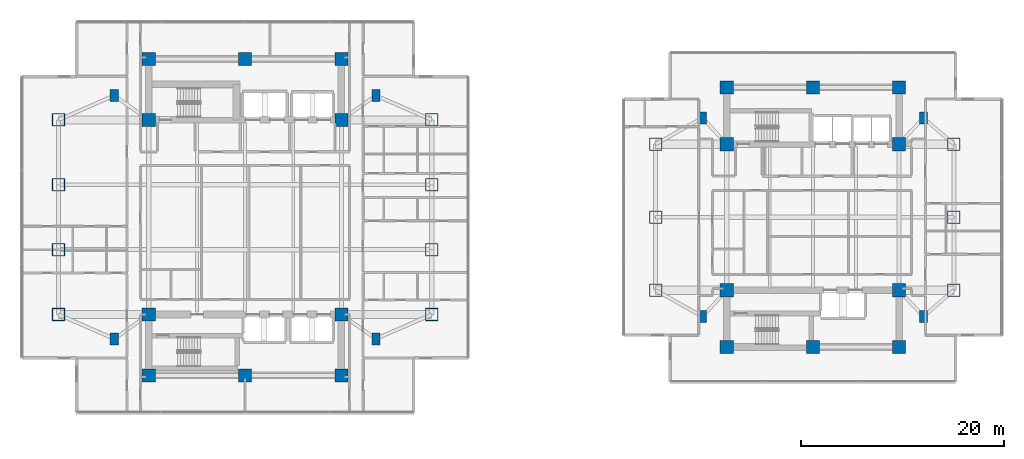
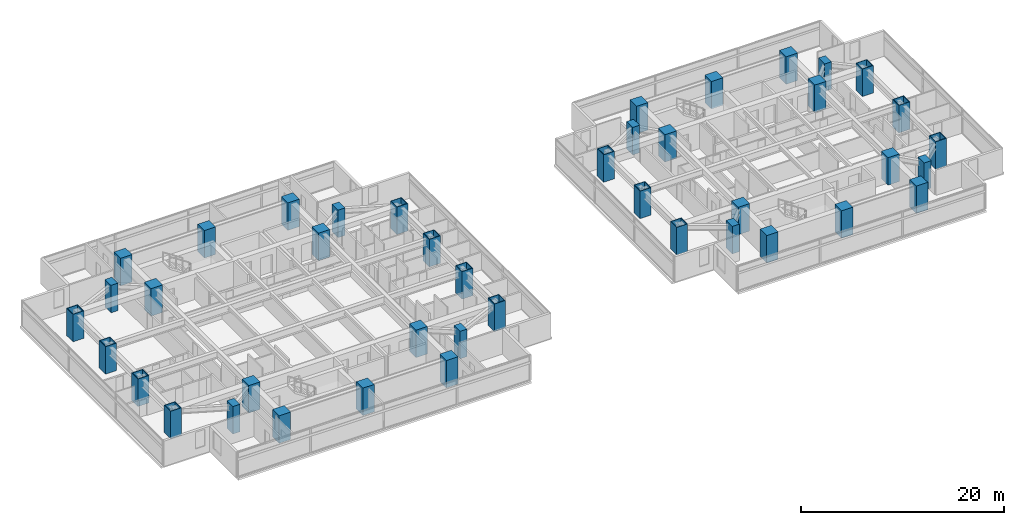
# One storey, part 1 of 24: 42 columns.
"""IFC4 building model written with IfcOpenShell, lengths in metres."""

from ifc_helpers import new_model, si_unit, direction, frame, origin, origin_2d, place, context, subcontext, project, spatial, rectangle, hollow_rectangle, extrude, material, material_profile, profile_set, type_object, element, save


model = new_model("IFC4")

# Units and contexts
model_context = context("Model", 3, precision=1e-05, world=origin(), true_north=direction((0.0, 1.0)))
body_context = subcontext(model_context, "Body", "Model", "MODEL_VIEW")
ifc_project = project(units=[si_unit("LENGTHUNIT", "METRE"), si_unit("AREAUNIT", "SQUARE_METRE"), si_unit("VOLUMEUNIT", "CUBIC_METRE"), si_unit("PLANEANGLEUNIT", "RADIAN"), si_unit("MASSUNIT", "GRAM", prefix="KILO")], contexts=[model_context])

# Site, building, storey
site_placement = place(None, origin())
site = spatial("IfcSite", under=ifc_project, at=site_placement, CompositionType="ELEMENT")
building_placement = place(site_placement, origin())
building = spatial("IfcBuilding", under=site, at=building_placement, Name="Mirazonda Arch Towers", CompositionType="ELEMENT")
storey_placement = place(building_placement, frame((0.0, 0.0, 68.60009765625)))
storey = spatial("IfcBuildingStorey", under=building, at=storey_placement, Name="L19", CompositionType="ELEMENT", Elevation=68.60009765625)

# Columns
ifc_material_1 = material(Name="Concrete C60/75", Category="concrete")
ifc_material_profile_1 = material_profile(ifc_material_1, rectangle(XDim=1.300048828125, YDim=1.300048828125, at=origin_2d()), Name="RC1300x1300")
ifc_profile_set_1 = profile_set([ifc_material_profile_1], Name="Concrete C60/75")
column_type_1 = type_object("IfcColumnType", Name="COL-INT-RC1300x1300", PredefinedType="COLUMN", material=ifc_profile_set_1)
for number, where, z_axis, x_axis, name in (
    (1, (11.0, 12.39990234375, 0.0), (0.0, 0.0, 1.0), (1.0, 0.0, 0.0), "L19 T1 Core Column 01"),
    (2, (20.5, 12.39990234375, 0.0), (0.0, 0.0, 1.0), (1.0, 0.0, 0.0), "L19 T1 Core Column 02"),
    (3, (30.0, 12.39990234375, 0.0), (0.0, 0.0, 1.0), (1.0, 0.0, 0.0), "L19 T1 Core Column 03"),
    (4, (11.0, 18.39990234375, 0.0), (0.0, 0.0, 1.0), (1.0, 0.0, 0.0), "L19 T1 Core Column 04"),
    (5, (30.0, 18.39990234375, 0.0), (0.0, 0.0, 1.0), (1.0, 0.0, 0.0), "L19 T1 Core Column 05"),
    (6, (11.0, 37.60009765625, 0.0), (0.0, 0.0, 1.0), (1.0, 0.0, 0.0), "L19 T1 Core Column 06"),
    (7, (30.0, 37.60009765625, 0.0), (0.0, 0.0, 1.0), (1.0, 0.0, 0.0), "L19 T1 Core Column 07"),
    (8, (11.0, 43.60009765625, 0.0), (0.0, 0.0, 1.0), (1.0, 0.0, 0.0), "L19 T1 Core Column 08"),
    (9, (20.5, 43.60009765625, 0.0), (0.0, 0.0, 1.0), (1.0, 0.0, 0.0), "L19 T1 Core Column 09"),
    (10, (30.0, 43.60009765625, 0.0), (0.0, 0.0, 1.0), (1.0, 0.0, 0.0), "L19 T1 Core Column 10"),
    (11, (68.0, 15.199951171875, 0.0), (0.0, 0.0, 1.0), (1.0, 0.0, 0.0), "L19 T2 Core Column 01"),
    (12, (76.5, 15.199951171875, 0.0), (0.0, 0.0, 1.0), (1.0, 0.0, 0.0), "L19 T2 Core Column 02"),
    (13, (85.0, 15.199951171875, 0.0), (0.0, 0.0, 1.0), (1.0, 0.0, 0.0), "L19 T2 Core Column 03"),
    (14, (68.0, 20.800048828125, 0.0), (0.0, 0.0, 1.0), (1.0, 0.0, 0.0), "L19 T2 Core Column 04"),
    (15, (85.0, 20.800048828125, 0.0), (0.0, 0.0, 1.0), (1.0, 0.0, 0.0), "L19 T2 Core Column 05"),
    (16, (68.0, 35.199951171875, 0.0), (0.0, 0.0, 1.0), (1.0, 0.0, 0.0), "L19 T2 Core Column 06"),
    (17, (85.0, 35.199951171875, 0.0), (0.0, 0.0, 1.0), (1.0, 0.0, 0.0), "L19 T2 Core Column 07"),
    (18, (68.0, 40.800048828125, 0.0), (0.0, 0.0, 1.0), (1.0, 0.0, 0.0), "L19 T2 Core Column 08"),
    (19, (76.5, 40.800048828125, 0.0), (0.0, 0.0, 1.0), (1.0, 0.0, 0.0), "L19 T2 Core Column 09"),
    (20, (85.0, 40.800048828125, 0.0), (0.0, 0.0, 1.0), (1.0, 0.0, 0.0), "L19 T2 Core Column 10"),
):
    element("IfcColumn", number, at=place(storey_placement, frame(where, z_axis=z_axis, x_axis=x_axis)), inside=storey, type_object=column_type_1, Name=name, PredefinedType="COLUMN", context=body_context, shape_type="SweptSolid", body=[
        extrude(rectangle(XDim=1.300048828125, YDim=1.300048828125, at=origin_2d()), origin(), (0.0, 0.0, 1.0), 3.2998046875),
    ])
ifc_material_2 = material(Name="Steel ASTM A572 Grade 50", Category="steel")
ifc_material_profile_2 = material_profile(ifc_material_2, hollow_rectangle(XDim=1.25, YDim=1.25, WallThickness=0.070068359375, at=origin_2d()), Name="BOX1250x1250x70")
ifc_profile_set_2 = profile_set([ifc_material_profile_2], Name="Steel ASTM A572 Grade 50")
column_type_2 = type_object("IfcColumnType", Name="MCOL-EXT-BOX1250x1250x70", PredefinedType="COLUMN", material=ifc_profile_set_2)
for number, where, z_axis, x_axis, name in (
    (21, (2.10009765625, 18.39990234375, 0.0), (0.0, 0.0, 1.0), (1.0, 0.0, 0.0), "L19 T1 Composite Mega-Column 01"),
    (22, (2.10009765625, 24.800048828125, 0.0), (0.0, 0.0, 1.0), (1.0, 0.0, 0.0), "L19 T1 Composite Mega-Column 02"),
    (23, (2.10009765625, 31.199951171875, 0.0), (0.0, 0.0, 1.0), (1.0, 0.0, 0.0), "L19 T1 Composite Mega-Column 03"),
    (24, (2.10009765625, 37.60009765625, 0.0), (0.0, 0.0, 1.0), (1.0, 0.0, 0.0), "L19 T1 Composite Mega-Column 04"),
    (25, (38.89990234375, 18.39990234375, 0.0), (0.0, 0.0, 1.0), (1.0, 0.0, 0.0), "L19 T1 Composite Mega-Column 05"),
    (26, (38.89990234375, 24.800048828125, 0.0), (0.0, 0.0, 1.0), (1.0, 0.0, 0.0), "L19 T1 Composite Mega-Column 06"),
    (27, (38.89990234375, 31.199951171875, 0.0), (0.0, 0.0, 1.0), (1.0, 0.0, 0.0), "L19 T1 Composite Mega-Column 07"),
    (28, (38.89990234375, 37.60009765625, 0.0), (0.0, 0.0, 1.0), (1.0, 0.0, 0.0), "L19 T1 Composite Mega-Column 08"),
    (29, (61.0, 20.800048828125, 0.0), (0.0, 0.0, 1.0), (1.0, 0.0, 0.0), "L19 T2 Composite Mega-Column 01"),
    (30, (61.0, 28.0, 0.0), (0.0, 0.0, 1.0), (1.0, 0.0, 0.0), "L19 T2 Composite Mega-Column 02"),
    (31, (61.0, 35.199951171875, 0.0), (0.0, 0.0, 1.0), (1.0, 0.0, 0.0), "L19 T2 Composite Mega-Column 03"),
    (32, (90.39990234375, 20.800048828125, 0.0), (0.0, 0.0, 1.0), (1.0, 0.0, 0.0), "L19 T2 Composite Mega-Column 04"),
    (33, (90.39990234375, 28.0, 0.0), (0.0, 0.0, 1.0), (1.0, 0.0, 0.0), "L19 T2 Composite Mega-Column 05"),
    (34, (90.39990234375, 35.199951171875, 0.0), (0.0, 0.0, 1.0), (1.0, 0.0, 0.0), "L19 T2 Composite Mega-Column 06"),
):
    element("IfcColumn", number, at=place(storey_placement, frame(where, z_axis=z_axis, x_axis=x_axis)), inside=storey, type_object=column_type_2, Name=name, PredefinedType="COLUMN", context=body_context, shape_type="SweptSolid", body=[
        extrude(hollow_rectangle(XDim=1.25, YDim=1.25, WallThickness=0.070068359375, at=origin_2d()), origin(), (0.0, 0.0, 1.0), 3.2998046875),
    ])
ifc_material_profile_3 = material_profile(ifc_material_1, rectangle(XDim=0.800048828125, YDim=1.199951171875, at=origin_2d()), Name="RC1200x800")
ifc_profile_set_3 = profile_set([ifc_material_profile_3], Name="Concrete C60/75")
column_type_3 = type_object("IfcColumnType", Name="PIL-EXT-RC1200x800", PredefinedType="PILASTER", material=ifc_profile_set_3)
for number, where, z_axis, x_axis, name in (
    (35, (7.60009765625, 16.0, 0.0), (0.0, 0.0, 1.0), (1.0, 0.0, 0.0), "L19 T1 Corner Pilaster 01"),
    (36, (33.39990234375, 16.0, 0.0), (0.0, 0.0, 1.0), (1.0, 0.0, 0.0), "L19 T1 Corner Pilaster 02"),
    (37, (7.60009765625, 40.0, 0.0), (0.0, 0.0, 1.0), (1.0, 0.0, 0.0), "L19 T1 Corner Pilaster 03"),
    (38, (33.39990234375, 40.0, 0.0), (0.0, 0.0, 1.0), (1.0, 0.0, 0.0), "L19 T1 Corner Pilaster 04"),
    (39, (65.60009765625, 18.199951171875, 0.0), (0.0, 0.0, 1.0), (1.0, 0.0, 0.0), "L19 T2 Corner Pilaster 01"),
    (40, (87.39990234375, 18.199951171875, 0.0), (0.0, 0.0, 1.0), (1.0, 0.0, 0.0), "L19 T2 Corner Pilaster 02"),
    (41, (65.60009765625, 37.800048828125, 0.0), (0.0, 0.0, 1.0), (1.0, 0.0, 0.0), "L19 T2 Corner Pilaster 03"),
    (42, (87.39990234375, 37.800048828125, 0.0), (0.0, 0.0, 1.0), (1.0, 0.0, 0.0), "L19 T2 Corner Pilaster 04"),
):
    element("IfcColumn", number, at=place(storey_placement, frame(where, z_axis=z_axis, x_axis=x_axis)), inside=storey, type_object=column_type_3, Name=name, PredefinedType="PILASTER", context=body_context, shape_type="SweptSolid", body=[
        extrude(rectangle(XDim=0.800048828125, YDim=1.199951171875, at=origin_2d()), origin(), (0.0, 0.0, 1.0), 3.2998046875),
    ])

save(model, "model.ifc")
